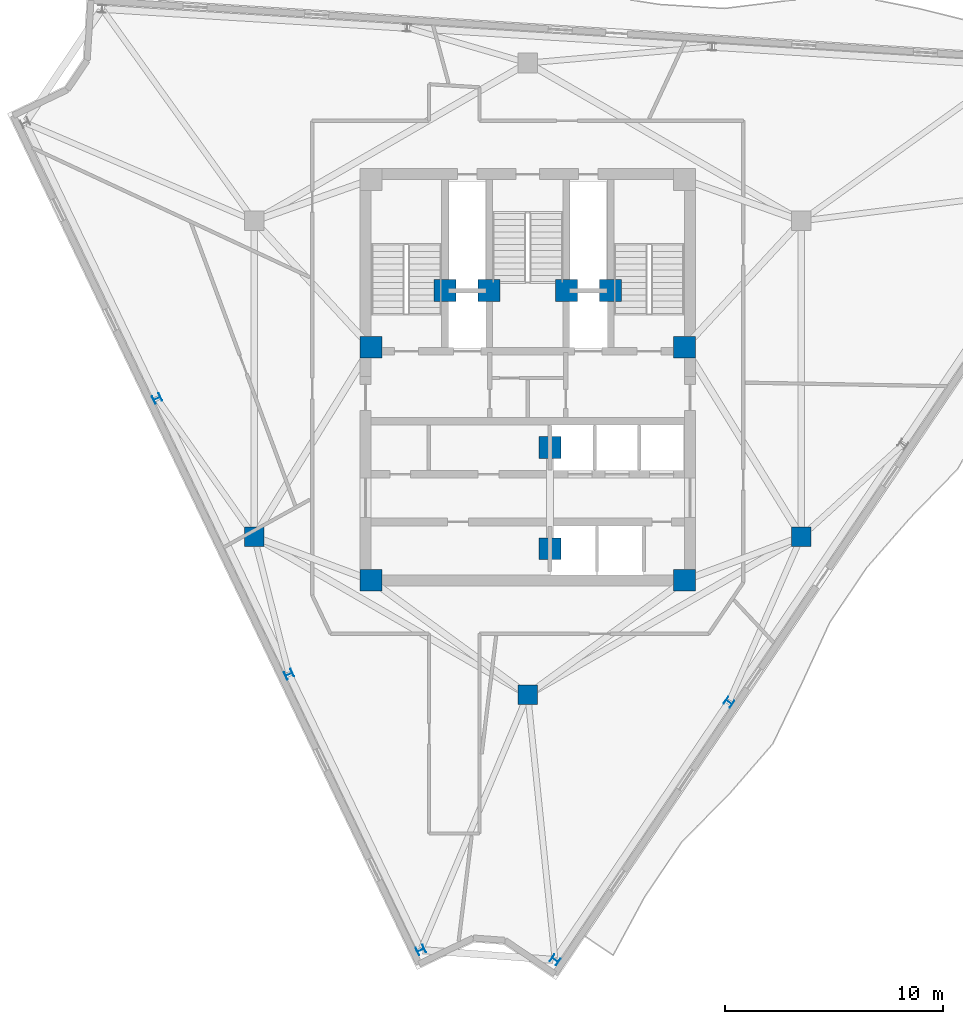
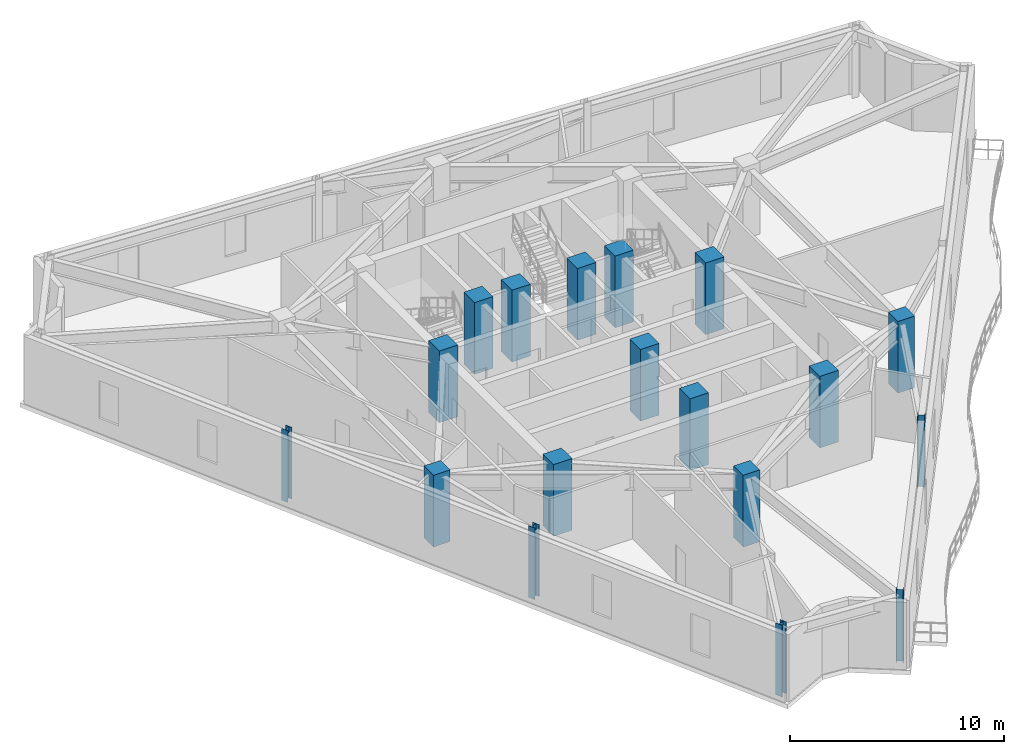
# One storey, part 1 of 10: 18 columns.
"""IFC4 building model written with IfcOpenShell, lengths in metres."""

from ifc_helpers import new_model, si_unit, direction, frame, origin, origin_2d, place, context, subcontext, project, spatial, rectangle, i_section, extrude, material, material_profile, profile_set, type_object, element, save


model = new_model("IFC4")

# Units and contexts
model_context = context("Model", 3, precision=1e-05, world=origin(), true_north=direction((0.0, 1.0)))
body_context = subcontext(model_context, "Body", "Model", "MODEL_VIEW")
ifc_project = project(units=[si_unit("LENGTHUNIT", "METRE"), si_unit("AREAUNIT", "SQUARE_METRE"), si_unit("VOLUMEUNIT", "CUBIC_METRE"), si_unit("PLANEANGLEUNIT", "RADIAN"), si_unit("MASSUNIT", "GRAM", prefix="KILO")], contexts=[model_context])

# Site, building, storey
site_placement = place(None, origin())
site = spatial("IfcSite", under=ifc_project, at=site_placement, CompositionType="ELEMENT")
building_placement = place(site_placement, origin())
building = spatial("IfcBuilding", under=site, at=building_placement, Name="Apsidion Concourse Tower", CompositionType="ELEMENT")
storey_placement = place(building_placement, frame((0.0, 0.0, 310.60009765625)))
storey = spatial("IfcBuildingStorey", under=building, at=storey_placement, Name="L73", CompositionType="ELEMENT", Elevation=310.60009765625)

# Columns
ifc_material_1 = material(Name="Concrete C50/60", Category="concrete")
ifc_material_profile_1 = material_profile(ifc_material_1, rectangle(XDim=1.0, YDim=1.0, at=origin_2d()), Name="RC 1000x1000")
ifc_profile_set_1 = profile_set([ifc_material_profile_1], Name="Concrete C50/60")
column_type_1 = type_object("IfcColumnType", Name="COL-RC-1000", PredefinedType="COLUMN", material=ifc_profile_set_1)
for number, where, z_axis, x_axis, name in (
    (1, (-7.199951171875, -9.25, 0.0), (0.0, 0.0, 1.0), (1.0, 0.0, 0.0), "L73 Core Super-Column SC1"),
    (2, (7.199951171875, -9.25, 0.0), (0.0, 0.0, 1.0), (1.0, 0.0, 0.0), "L73 Core Super-Column SC2"),
    (3, (7.199951171875, 1.449951171875, 0.0), (0.0, 0.0, 1.0), (1.0, 0.0, 0.0), "L73 Core Super-Column SC3"),
    (4, (-7.199951171875, 1.449951171875, 0.0), (0.0, 0.0, 1.0), (1.0, 0.0, 0.0), "L73 Core Super-Column SC6"),
    (5, (-3.800048828125, 4.050048828125, 0.0), (0.0, 0.0, 1.0), (1.0, 0.0, 0.0), "L73 Core Super-Column CC1"),
    (6, (3.800048828125, 4.050048828125, 0.0), (0.0, 0.0, 1.0), (1.0, 0.0, 0.0), "L73 Core Super-Column CC2"),
    (7, (-1.77490234375, 4.050048828125, 0.0), (0.0, 0.0, 1.0), (1.0, 0.0, 0.0), "L73 Core Super-Column CC3"),
    (8, (1.77490234375, 4.050048828125, 0.0), (0.0, 0.0, 1.0), (1.0, 0.0, 0.0), "L73 Core Super-Column CC4"),
    (9, (1.02490234375, -3.14990234375, 0.0), (0.0, 0.0, 1.0), (1.0, 0.0, 0.0), "L73 Core Super-Column CC5"),
    (10, (1.02490234375, -7.800048828125, 0.0), (0.0, 0.0, 1.0), (1.0, 0.0, 0.0), "L73 Core Super-Column CC6"),
):
    element("IfcColumn", number, at=place(storey_placement, frame(where, z_axis=z_axis, x_axis=x_axis)), inside=storey, type_object=column_type_1, Name=name, PredefinedType="COLUMN", context=body_context, shape_type="SweptSolid", body=[
        extrude(rectangle(XDim=1.0, YDim=1.0, at=origin_2d()), origin(), (0.0, 0.0, 1.0), 4.099853515625),
    ])
ifc_material_profile_2 = material_profile(ifc_material_1, rectangle(XDim=0.89990234375, YDim=0.89990234375, at=origin_2d()), Name="RC 900x900")
ifc_profile_set_2 = profile_set([ifc_material_profile_2], Name="Concrete C50/60")
column_type_2 = type_object("IfcColumnType", Name="COL-RC-900", PredefinedType="COLUMN", material=ifc_profile_set_2)
for number, where, z_axis, x_axis, name in (
    (11, (-12.56005859375, -7.25, 0.0), (0.0, 0.0, 1.0), (1.0, 0.0, 0.0), "L73 Interior Spine Column IC1"),
    (12, (12.56005859375, -7.25, 0.0), (0.0, 0.0, 1.0), (1.0, 0.0, 0.0), "L73 Interior Spine Column IC2"),
    (13, (0.0, -14.5, 0.0), (0.0, 0.0, 1.0), (1.0, 0.0, 0.0), "L73 Interior Spine Column IC6"),
):
    element("IfcColumn", number, at=place(storey_placement, frame(where, z_axis=z_axis, x_axis=x_axis)), inside=storey, type_object=column_type_2, Name=name, PredefinedType="COLUMN", context=body_context, shape_type="SweptSolid", body=[
        extrude(rectangle(XDim=0.89990234375, YDim=0.89990234375, at=origin_2d()), origin(), (0.0, 0.0, 1.0), 4.099853515625),
    ])
ifc_material_2 = material(Name="Structural steel ASTM A992 Grade 50", Category="steel")
ifc_material_profile_3 = material_profile(ifc_material_2, i_section(OverallWidth=0.367919921875, OverallDepth=0.35595703125, WebThickness=0.01123046875, FlangeThickness=0.01806640625, at=origin_2d()), Name="W14X90")
ifc_profile_set_3 = profile_set([ifc_material_profile_3], Name="Structural steel ASTM A992 Grade 50")
column_type_3 = type_object("IfcColumnType", Name="COL-W14-90", PredefinedType="COLUMN", material=ifc_profile_set_3)
for number, where, z_axis, x_axis, name in (
    (14, (-17.019287109375, -0.9033203125, 0.0), (0.0, 0.0, 1.0), (-0.431298587031, 0.902209248913, 0.0), "L73 Rotated Perimeter Column PC02"),
    (15, (-10.965576171875, -13.56494140625, 0.0), (0.0, 0.0, 1.0), (-0.431298587031, 0.902209248913, 0.0), "L73 Rotated Perimeter Column PC03"),
    (16, (-4.91162109375, -26.226806640625, 0.0), (0.0, 0.0, 1.0), (-0.431298587031, 0.902209248913, 0.0), "L73 Rotated Perimeter Column PC04"),
    (17, (1.25390625, -26.681884765625, 0.0), (0.0, 0.0, 1.0), (0.559192903471, 0.829037572555, 0.0), "L73 Rotated Perimeter Column PC05"),
    (18, (9.239013671875, -14.84375, 0.0), (0.0, 0.0, 1.0), (0.559192903471, 0.829037572555, 0.0), "L73 Rotated Perimeter Column PC06"),
):
    element("IfcColumn", number, at=place(storey_placement, frame(where, z_axis=z_axis, x_axis=x_axis)), inside=storey, type_object=column_type_3, Name=name, PredefinedType="COLUMN", context=body_context, shape_type="SweptSolid", body=[
        extrude(i_section(OverallWidth=0.367919921875, OverallDepth=0.35595703125, WebThickness=0.01123046875, FlangeThickness=0.01806640625, at=origin_2d()), origin(), (0.0, 0.0, 1.0), 4.099853515625),
    ])

save(model, "model.ifc")
